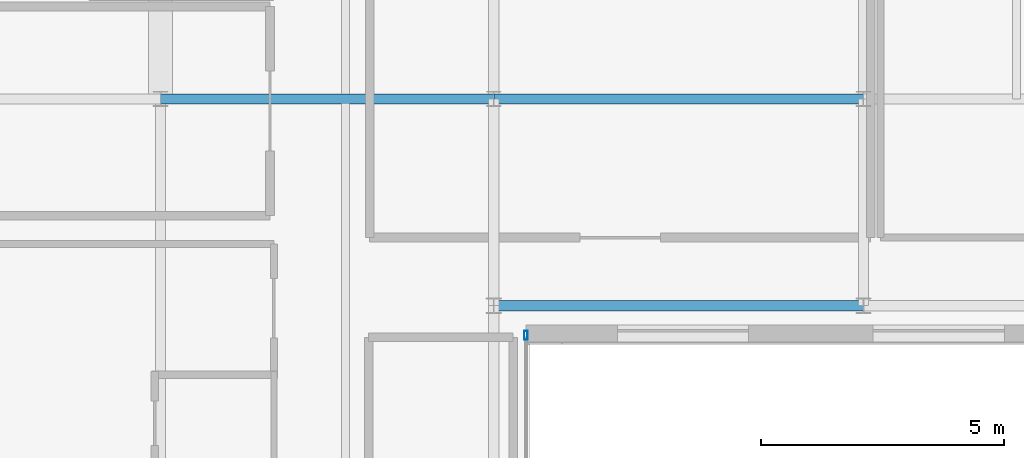
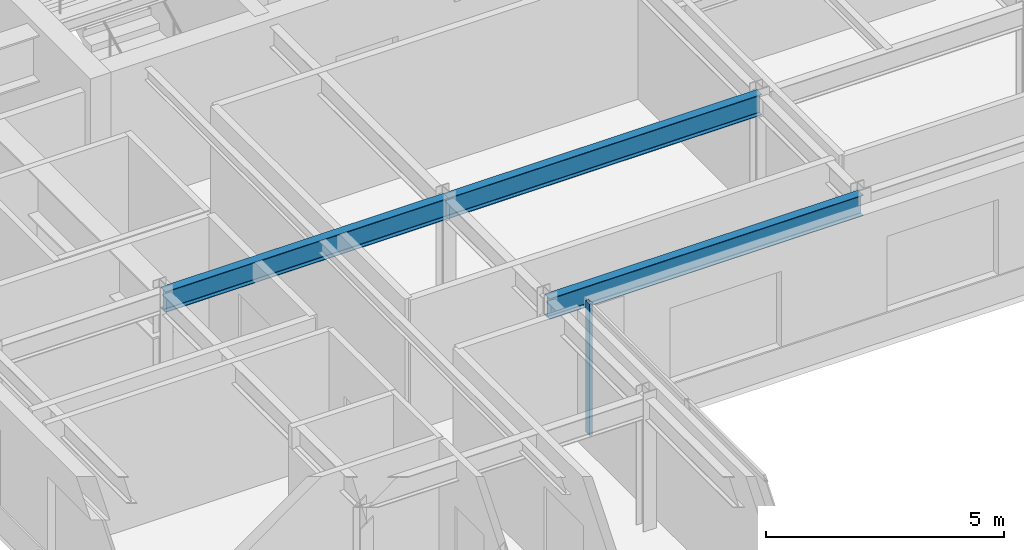
# One storey, part 9 of 20: 3 beams, 1 member, 1 element without a shape of its own.
"""IFC4 building model written with IfcOpenShell, lengths in metres."""

from ifc_helpers import new_model, si_unit, direction, frame, origin, origin_2d, place, context, subcontext, project, spatial, hollow_rectangle, i_section, extrude, source, transform, mapped, material, layer, layer_set, material_profile, profile_set, type_object, type_shapes, element, aggregate, save


model = new_model("IFC4")

# Units and contexts
model_context = context("Model", 3, precision=1e-05, world=origin(), true_north=direction((0.0, 1.0)))
body_context = subcontext(model_context, "Body", "Model", "MODEL_VIEW")
ifc_project = project(units=[si_unit("LENGTHUNIT", "METRE"), si_unit("AREAUNIT", "SQUARE_METRE"), si_unit("VOLUMEUNIT", "CUBIC_METRE"), si_unit("PLANEANGLEUNIT", "RADIAN"), si_unit("MASSUNIT", "GRAM", prefix="KILO")], contexts=[model_context])

# Site, building, storey
site_placement = place(None, origin())
site = spatial("IfcSite", under=ifc_project, at=site_placement, CompositionType="ELEMENT")
building_placement = place(site_placement, origin())
building = spatial("IfcBuilding", under=site, at=building_placement, Name="Tolvann Quenvar Hotel", CompositionType="ELEMENT")
storey_placement = place(building_placement, frame((0.0, 0.0, 248.75)))
storey = spatial("IfcBuildingStorey", under=building, at=storey_placement, Name="L66", CompositionType="ELEMENT", Elevation=248.75)

# Beams
ifc_material_1 = material(Name="Steel Grade 350", Category="steel")
ifc_material_profile_1 = material_profile(ifc_material_1, i_section(OverallWidth=0.208984375, OverallDepth=0.532958984375, WebThickness=0.01025390625, FlangeThickness=0.015625, FilletRadius=0.013916015625, at=origin_2d()), Name="530UB92")
ifc_profile_set_1 = profile_set([ifc_material_profile_1], Name="Steel Grade 350")
beam_type = type_object("IfcBeamType", Name="BM_GIRD_530UB92", PredefinedType="BEAM", material=ifc_profile_set_1)
shared_shape_1 = source(origin(), body_context, "Body", "SweptSolid", [
    extrude(i_section(OverallWidth=0.208984375, OverallDepth=0.532958984375, WebThickness=0.01025390625, FlangeThickness=0.015625, FilletRadius=0.013916015625, at=origin_2d()), origin(), (0.0, 0.0, 1.0), 6.849853515625),
])
beam_placement = place(storey_placement, frame((7.60009765625, 24.39990234375, 3.103515625), z_axis=(1.0, 0.0, 0.0), x_axis=(0.0, 1.0, 0.0)))
element("IfcBeam", 1, at=beam_placement, inside=storey, type_object=beam_type, Name="BM-L66-EW-5-C5-D5", PredefinedType="BEAM", context=body_context, shape_type="MappedRepresentation", body=[
    mapped(shared_shape_1, transform((0.0, 0.0, 0.0), x_axis=(1.0, 0.0, 0.0), y_axis=(0.0, 1.0, 0.0), z_axis=(0.0, 0.0, 1.0), scale=1.0)),
])
shared_shape_2 = source(origin(), body_context, "Body", "SweptSolid", [
    extrude(i_section(OverallWidth=0.208984375, OverallDepth=0.532958984375, WebThickness=0.01025390625, FlangeThickness=0.015625, FilletRadius=0.013916015625, at=origin_2d()), origin(), (0.0, 0.0, 1.0), 7.60009765625),
])
type_shapes(beam_type, [shared_shape_1, shared_shape_2])
for number, where, z_axis, x_axis, name in (
    (2, (14.449951171875, 20.14990234375, 3.103515625), (1.0, 0.0, 0.0), (0.0, 1.0, 0.0), "BM-L66-EW-4P-D4P-E4P"),
    (3, (14.449951171875, 24.39990234375, 3.103515625), (1.0, 0.0, 0.0), (0.0, 1.0, 0.0), "BM-L66-EW-5-D5-E5"),
):
    element("IfcBeam", number, at=place(storey_placement, frame(where, z_axis=z_axis, x_axis=x_axis)), inside=storey, type_object=beam_type, Name=name, PredefinedType="BEAM", context=body_context, shape_type="MappedRepresentation", body=[
        mapped(shared_shape_2, transform((0.0, 0.0, 0.0), x_axis=(1.0, 0.0, 0.0), y_axis=(0.0, 1.0, 0.0), z_axis=(0.0, 0.0, 1.0), scale=1.0)),
    ])

# Curtain wall, member
ifc_material_2 = material(Name="Thermally broken anodised architectural aluminium 6063-T6 and laminated low-E glass", Category="aluminium")
ifc_layer = layer(ifc_material_2, 0.179931640625)
ifc_layer_set = layer_set([ifc_layer], Name="Thermally broken anodised architectural aluminium 6063-T6 and laminated low-E glass")
curtain_wall_type = type_object("IfcCurtainWallType", Name="CW_SYS_PORTAL_05", PredefinedType="USERDEFINED", material=ifc_layer_set)
curtain_wall_placement = place(storey_placement, origin())
curtain_wall = element("IfcCurtainWall", 4, at=curtain_wall_placement, inside=storey, type_object=curtain_wall_type, Name="Curtain Wall CW-PORTAL-05 (CWR-L66-E05)", ObjectType="UNITISED CURTAIN WALL", PredefinedType="USERDEFINED")
ifc_material_3 = material(Name="Anodised architectural aluminium 6063-T6 framing", Category="aluminium")
ifc_material_profile_2 = material_profile(ifc_material_3, hollow_rectangle(XDim=0.070068359375, YDim=0.179931640625, WallThickness=0.00390625, at=origin_2d()), Name="180x70x4RHS")
ifc_profile_set_2 = profile_set([ifc_material_profile_2], Name="Anodised architectural aluminium 6063-T6 framing")
member_type = type_object("IfcMemberType", Name="CW_MULL_180x70", PredefinedType="MULLION", material=ifc_profile_set_2)
shared_shape_3 = source(origin(), body_context, "Body", "SweptSolid", [
    extrude(hollow_rectangle(XDim=0.070068359375, YDim=0.179931640625, WallThickness=0.00390625, at=origin_2d()), origin(), (0.0, 0.0, 1.0), 3.3701171875),
])
type_shapes(member_type, [shared_shape_3])
member_placement = place(storey_placement, frame((15.110107421875, 19.5400390625, 0.0), z_axis=(0.0, 0.0, 1.0), x_axis=(-1.0, 0.0, 0.0)))
member = element("IfcMember", 5, at=member_placement, type_object=member_type, Name="CW-PORTAL-05 mullion 5", PredefinedType="MULLION", context=body_context, shape_type="MappedRepresentation", body=[
    mapped(shared_shape_3, transform((0.0, 0.0, 0.0), x_axis=(1.0, 0.0, 0.0), y_axis=(0.0, 1.0, 0.0), z_axis=(0.0, 0.0, 1.0), scale=1.0)),
])
aggregate(curtain_wall, [member])

save(model, "model.ifc")
